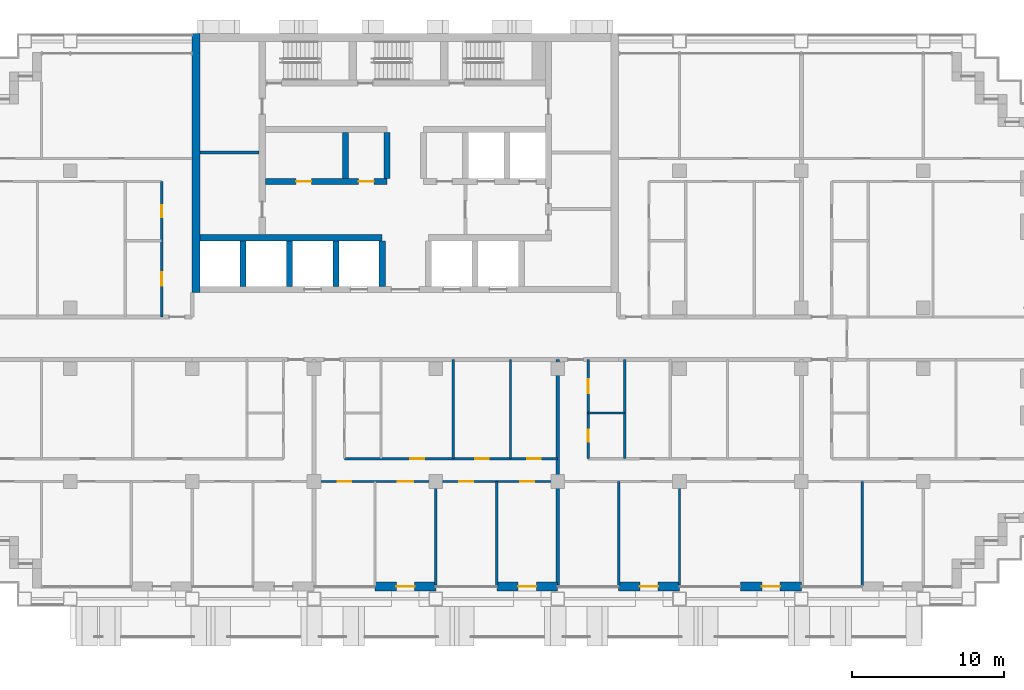
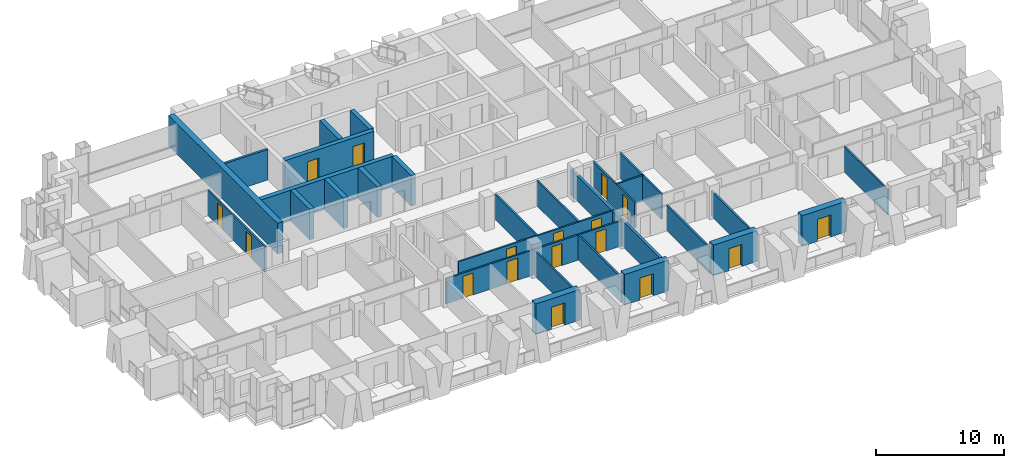
# One storey, part 10 of 18: 28 walls, 17 doors, 17 openings.
"""IFC4 building model written with IfcOpenShell, lengths in metres."""

from ifc_helpers import new_model, si_unit, direction, frame, frame_2d, origin, place, context, subcontext, project, spatial, rectangle, extrude, material, layer, layer_set, type_object, element, fill, save


model = new_model("IFC4")

# Units and contexts
model_context = context("Model", 3, precision=1e-05, world=origin(), true_north=direction((0.0, 1.0)))
body_context = subcontext(model_context, "Body", "Model", "MODEL_VIEW")
ifc_project = project(units=[si_unit("LENGTHUNIT", "METRE"), si_unit("AREAUNIT", "SQUARE_METRE"), si_unit("VOLUMEUNIT", "CUBIC_METRE"), si_unit("PLANEANGLEUNIT", "RADIAN"), si_unit("MASSUNIT", "GRAM", prefix="KILO")], contexts=[model_context])

# Site, building, storey
site_placement = place(None, origin())
site = spatial("IfcSite", under=ifc_project, at=site_placement, CompositionType="ELEMENT")
building_placement = place(site_placement, origin())
building = spatial("IfcBuilding", under=site, at=building_placement, Name="Vidyagriha Tower", CompositionType="ELEMENT")
storey_placement = place(building_placement, frame((0.0, 0.0, 80.699951171875)))
storey = spatial("IfcBuildingStorey", under=building, at=storey_placement, Name="L20", CompositionType="ELEMENT", Elevation=80.699951171875)

# Wall, opening, door
ifc_material_1 = material(Name="Precast concrete C40/50 with brick facing", Category="concrete")
ifc_layer_1 = layer(ifc_material_1, 0.60009765625)
ifc_layer_set_1 = layer_set([ifc_layer_1], Name="Precast concrete C40/50 with brick facing")
wall_type_1 = type_object("IfcWallType", Name="Brick-faced precast wall 600", PredefinedType="STANDARD", material=ifc_layer_set_1)
wall_1_placement = place(storey_placement, frame((-2.0, -16.300048828125, 0.0)))
wall_1 = element("IfcWall", 1, at=wall_1_placement, inside=storey, type_object=wall_type_1, Name="Brick door bay wall L20 R23.7", PredefinedType="STANDARD", context=body_context, shape_type="SweptSolid", body=[
    extrude(rectangle(XDim=4.0, YDim=0.60009765625, at=frame_2d((2.0, 0.0))), origin(), (0.0, 0.0, 1.0), 2.920166015625),
])
opening_1_placement = place(wall_1_placement, frame((1.39990234375, 0.0, 0.0)))
opening_1 = element("IfcOpeningElement", 2, at=opening_1_placement, cuts=wall_1, Name="Opening D20-78", PredefinedType="OPENING", context=body_context, shape_type="SweptSolid", body=[
    extrude(rectangle(XDim=1.199951171875, YDim=2.10009765625, at=frame_2d((0.60009765625, 1.050048828125))), frame((0.0, 0.31005859375, 0.0), z_axis=(0.0, -1.0, 0.0), x_axis=(1.0, 0.0, 0.0)), (0.0, 0.0, 1.0), 0.6201171875),
])
ifc_material_2 = material(Name="Aluminium framed glazed sliding door", Category="aluminium")
door_type_1 = type_object("IfcDoorType", Name="Balcony sliding door 1200x2100", OperationType="NOTDEFINED", PredefinedType="DOOR", material=ifc_material_2)
door_1_placement = place(opening_1_placement, origin())
door_1 = element("IfcDoor", 3, at=door_1_placement, inside=storey, type_object=door_type_1, Name="Door D20-78", OperationType="SLIDING_TO_LEFT", OverallHeight=2.10009765625, OverallWidth=1.199951171875, PredefinedType="DOOR", context=body_context, shape_type="SweptSolid", body=[
    extrude(rectangle(XDim=1.199951171875, YDim=2.10009765625, at=frame_2d((0.60009765625, 1.050048828125))), frame((0.0, 0.02490234375, 0.0), z_axis=(0.0, -1.0, 0.0), x_axis=(1.0, 0.0, 0.0)), (0.0, 0.0, 1.0), 0.050048828125),
])
fill(opening_1, door_1)

wall_2_placement = place(storey_placement, frame((6.0, -16.300048828125, 0.0)))
wall_2 = element("IfcWall", 4, at=wall_2_placement, inside=storey, type_object=wall_type_1, Name="Brick door bay wall L20 R23.9", PredefinedType="STANDARD", context=body_context, shape_type="SweptSolid", body=[
    extrude(rectangle(XDim=4.0, YDim=0.60009765625, at=frame_2d((2.0, 0.0))), origin(), (0.0, 0.0, 1.0), 2.920166015625),
])
opening_2_placement = place(wall_2_placement, frame((1.39990234375, 0.0, 0.0)))
opening_2 = element("IfcOpeningElement", 5, at=opening_2_placement, cuts=wall_2, Name="Opening D20-79", PredefinedType="OPENING", context=body_context, shape_type="SweptSolid", body=[
    extrude(rectangle(XDim=1.199951171875, YDim=2.10009765625, at=frame_2d((0.60009765625, 1.050048828125))), frame((0.0, 0.31005859375, 0.0), z_axis=(0.0, -1.0, 0.0), x_axis=(1.0, 0.0, 0.0)), (0.0, 0.0, 1.0), 0.6201171875),
])
door_2_placement = place(opening_2_placement, origin())
door_2 = element("IfcDoor", 6, at=door_2_placement, inside=storey, type_object=door_type_1, Name="Door D20-79", OperationType="SLIDING_TO_LEFT", OverallHeight=2.10009765625, OverallWidth=1.199951171875, PredefinedType="DOOR", context=body_context, shape_type="SweptSolid", body=[
    extrude(rectangle(XDim=1.199951171875, YDim=2.10009765625, at=frame_2d((0.60009765625, 1.050048828125))), frame((0.0, 0.02490234375, 0.0), z_axis=(0.0, -1.0, 0.0), x_axis=(1.0, 0.0, 0.0)), (0.0, 0.0, 1.0), 0.050048828125),
])
fill(opening_2, door_2)

wall_3_placement = place(storey_placement, frame((14.0, -16.300048828125, 0.0)))
wall_3 = element("IfcWall", 7, at=wall_3_placement, inside=storey, type_object=wall_type_1, Name="Brick door bay wall L20 R23.11", PredefinedType="STANDARD", context=body_context, shape_type="SweptSolid", body=[
    extrude(rectangle(XDim=4.0, YDim=0.60009765625, at=frame_2d((2.0, 0.0))), origin(), (0.0, 0.0, 1.0), 2.920166015625),
])
opening_3_placement = place(wall_3_placement, frame((1.39990234375, 0.0, 0.0)))
opening_3 = element("IfcOpeningElement", 8, at=opening_3_placement, cuts=wall_3, Name="Opening D20-80", PredefinedType="OPENING", context=body_context, shape_type="SweptSolid", body=[
    extrude(rectangle(XDim=1.199951171875, YDim=2.10009765625, at=frame_2d((0.60009765625, 1.050048828125))), frame((0.0, 0.31005859375, 0.0), z_axis=(0.0, -1.0, 0.0), x_axis=(1.0, 0.0, 0.0)), (0.0, 0.0, 1.0), 0.6201171875),
])
door_3_placement = place(opening_3_placement, origin())
door_3 = element("IfcDoor", 9, at=door_3_placement, inside=storey, type_object=door_type_1, Name="Door D20-80", OperationType="SLIDING_TO_LEFT", OverallHeight=2.10009765625, OverallWidth=1.199951171875, PredefinedType="DOOR", context=body_context, shape_type="SweptSolid", body=[
    extrude(rectangle(XDim=1.199951171875, YDim=2.10009765625, at=frame_2d((0.60009765625, 1.050048828125))), frame((0.0, 0.02490234375, 0.0), z_axis=(0.0, -1.0, 0.0), x_axis=(1.0, 0.0, 0.0)), (0.0, 0.0, 1.0), 0.050048828125),
])
fill(opening_3, door_3)

wall_4_placement = place(storey_placement, frame((22.0, -16.300048828125, 0.0)))
wall_4 = element("IfcWall", 10, at=wall_4_placement, inside=storey, type_object=wall_type_1, Name="Brick door bay wall L20 R23.13", PredefinedType="STANDARD", context=body_context, shape_type="SweptSolid", body=[
    extrude(rectangle(XDim=4.0, YDim=0.60009765625, at=frame_2d((2.0, 0.0))), origin(), (0.0, 0.0, 1.0), 2.920166015625),
])
opening_4_placement = place(wall_4_placement, frame((1.39990234375, 0.0, 0.0)))
opening_4 = element("IfcOpeningElement", 11, at=opening_4_placement, cuts=wall_4, Name="Opening D20-81", PredefinedType="OPENING", context=body_context, shape_type="SweptSolid", body=[
    extrude(rectangle(XDim=1.199951171875, YDim=2.10009765625, at=frame_2d((0.60009765625, 1.050048828125))), frame((0.0, 0.31005859375, 0.0), z_axis=(0.0, -1.0, 0.0), x_axis=(1.0, 0.0, 0.0)), (0.0, 0.0, 1.0), 0.6201171875),
])
door_4_placement = place(opening_4_placement, origin())
door_4 = element("IfcDoor", 12, at=door_4_placement, inside=storey, type_object=door_type_1, Name="Door D20-81", OperationType="SLIDING_TO_LEFT", OverallHeight=2.10009765625, OverallWidth=1.199951171875, PredefinedType="DOOR", context=body_context, shape_type="SweptSolid", body=[
    extrude(rectangle(XDim=1.199951171875, YDim=2.10009765625, at=frame_2d((0.60009765625, 1.050048828125))), frame((0.0, 0.02490234375, 0.0), z_axis=(0.0, -1.0, 0.0), x_axis=(1.0, 0.0, 0.0)), (0.0, 0.0, 1.0), 0.050048828125),
])
fill(opening_4, door_4)

# Walls
ifc_material_3 = material(Name="Concrete C60/75", Category="concrete")
ifc_layer_2 = layer(ifc_material_3, 0.39990234375)
ifc_layer_set_2 = layer_set([ifc_layer_2], Name="Concrete C60/75")
wall_type_2 = type_object("IfcWallType", Name="Core shear wall 400 mm", PredefinedType="SHEAR", material=ifc_layer_set_2)
wall_5_placement = place(storey_placement, frame((-13.5, 6.60009765625, 0.0)))
element("IfcWall", 13, at=wall_5_placement, inside=storey, type_object=wall_type_2, Name="Core lobby south wall west", PredefinedType="SHEAR", context=body_context, shape_type="SweptSolid", body=[
    extrude(rectangle(XDim=11.977783203125, YDim=0.39990234375, at=frame_2d((5.98876953125, 0.0))), origin(), (0.0, 0.0, 1.0), 2.920166015625),
])
for number, where, z_axis, x_axis, name in (
    (14, (-10.655517578125, 3.39990234375, 0.0), (0.0, 0.0, 1.0), (0.0, 1.0, 0.0), "Core bay wall S1"),
    (15, (-7.611083984375, 3.39990234375, 0.0), (0.0, 0.0, 1.0), (0.0, 1.0, 0.0), "Core bay wall S2"),
    (16, (-4.566650390625, 3.39990234375, 0.0), (0.0, 0.0, 1.0), (0.0, 1.0, 0.0), "Core bay wall S3"),
    (17, (-1.522216796875, 3.39990234375, 0.0), (0.0, 0.0, 1.0), (0.0, 1.0, 0.0), "Core bay wall S4"),
):
    element("IfcWall", number, at=place(storey_placement, frame(where, z_axis=z_axis, x_axis=x_axis)), inside=storey, type_object=wall_type_2, Name=name, PredefinedType="SHEAR", context=body_context, shape_type="SweptSolid", body=[
        extrude(rectangle(XDim=3.0, YDim=0.39990234375, at=frame_2d((1.5, 0.0))), origin(), (0.0, 0.0, 1.0), 2.920166015625),
    ])

# Wall, openings, doors
wall_6_placement = place(storey_placement, frame((-9.199951171875, 10.300048828125, 0.0)))
wall_6 = element("IfcWall", 18, at=wall_6_placement, inside=storey, type_object=wall_type_2, Name="Core row N front wall", PredefinedType="SHEAR", context=body_context, shape_type="SweptSolid", body=[
    extrude(rectangle(XDim=8.0, YDim=0.39990234375, at=frame_2d((4.0, 0.0))), origin(), (0.0, 0.0, 1.0), 2.920166015625),
])
opening_5_placement = place(wall_6_placement, frame((2.033203125, 0.0, 0.0)))
opening_5 = element("IfcOpeningElement", 19, at=opening_5_placement, cuts=wall_6, Name="Opening D20-02", PredefinedType="OPENING", context=body_context, shape_type="SweptSolid", body=[
    extrude(rectangle(XDim=1.0, YDim=2.10009765625, at=frame_2d((0.5, 1.050048828125))), frame((0.0, 0.2099609375, 0.0), z_axis=(0.0, -1.0, 0.0), x_axis=(1.0, 0.0, 0.0)), (0.0, 0.0, 1.0), 0.419921875),
])
opening_6_placement = place(wall_6_placement, frame((6.13330078125, 0.0, 0.0)))
opening_6 = element("IfcOpeningElement", 20, at=opening_6_placement, cuts=wall_6, Name="Opening D20-03", PredefinedType="OPENING", context=body_context, shape_type="SweptSolid", body=[
    extrude(rectangle(XDim=1.0, YDim=2.10009765625, at=frame_2d((0.5, 1.050048828125))), frame((0.0, 0.2099609375, 0.0), z_axis=(0.0, -1.0, 0.0), x_axis=(1.0, 0.0, 0.0)), (0.0, 0.0, 1.0), 0.419921875),
])
ifc_material_4 = material(Name="Hollow metal door leaf")
door_type_2 = type_object("IfcDoorType", Name="Core room door 1000 x 2100 mm EI 60", OperationType="NOTDEFINED", PredefinedType="DOOR", material=ifc_material_4)
door_5_placement = place(opening_5_placement, frame((1.0, 0.0, 0.0), z_axis=(0.0, 0.0, 1.0), x_axis=(-1.0, 0.0, 0.0)))
door_5 = element("IfcDoor", 21, at=door_5_placement, inside=storey, type_object=door_type_2, Name="Door Communications Room 20.14", OperationType="SINGLE_SWING_RIGHT", OverallHeight=2.10009765625, OverallWidth=1.0, PredefinedType="DOOR", context=body_context, shape_type="SweptSolid", body=[
    extrude(rectangle(XDim=1.0, YDim=2.10009765625, at=frame_2d((0.5, 1.050048828125))), frame((0.0, 0.02490234375, 0.0), z_axis=(0.0, -1.0, 0.0), x_axis=(1.0, 0.0, 0.0)), (0.0, 0.0, 1.0), 0.050048828125),
])
fill(opening_5, door_5)
door_6_placement = place(opening_6_placement, frame((1.0, 0.0, 0.0), z_axis=(0.0, 0.0, 1.0), x_axis=(-1.0, 0.0, 0.0)))
door_6 = element("IfcDoor", 22, at=door_6_placement, inside=storey, type_object=door_type_2, Name="Door Refuse Room 20.15", OperationType="SINGLE_SWING_LEFT", OverallHeight=2.10009765625, OverallWidth=1.0, PredefinedType="DOOR", context=body_context, shape_type="SweptSolid", body=[
    extrude(rectangle(XDim=1.0, YDim=2.10009765625, at=frame_2d((0.5, 1.050048828125))), frame((0.0, 0.02490234375, 0.0), z_axis=(0.0, -1.0, 0.0), x_axis=(1.0, 0.0, 0.0)), (0.0, 0.0, 1.0), 0.050048828125),
])
fill(opening_6, door_6)

# Walls
for number, where, z_axis, x_axis, name in (
    (23, (-3.933349609375, 10.5, 0.0), (0.0, 0.0, 1.0), (0.0, 1.0, 0.0), "Core bay wall N2"),
    (24, (-1.199951171875, 10.5, 0.0), (0.0, 0.0, 1.0), (0.0, 1.0, 0.0), "Core bay wall N3"),
):
    element("IfcWall", number, at=place(storey_placement, frame(where, z_axis=z_axis, x_axis=x_axis)), inside=storey, type_object=wall_type_2, Name=name, PredefinedType="SHEAR", context=body_context, shape_type="SweptSolid", body=[
        extrude(rectangle(XDim=3.0, YDim=0.39990234375, at=frame_2d((1.5, 0.0))), origin(), (0.0, 0.0, 1.0), 2.920166015625),
    ])
ifc_material_5 = material(Name="Concrete C60/75", Category="concrete")
ifc_layer_3 = layer(ifc_material_5, 0.5)
ifc_layer_set_3 = layer_set([ifc_layer_3], Name="Concrete C60/75")
wall_type_3 = type_object("IfcWallType", Name="Core shear wall 500 mm", PredefinedType="SHEAR", material=ifc_layer_set_3)
wall_7_placement = place(storey_placement, frame((-13.75, 3.0, 0.0), z_axis=(0.0, 0.0, 1.0), x_axis=(0.0, 1.0, 0.0)))
element("IfcWall", 25, at=wall_7_placement, inside=storey, type_object=wall_type_3, Name="Core west wall", PredefinedType="SHEAR", context=body_context, shape_type="SweptSolid", body=[
    extrude(rectangle(XDim=17.0, YDim=0.5, at=frame_2d((8.5, 0.0))), origin(), (0.0, 0.0, 1.0), 2.920166015625),
])
ifc_material_6 = material(Name="Fired clay brick masonry", Category="masonry")
ifc_layer_4 = layer(ifc_material_6, 0.25)
ifc_layer_set_4 = layer_set([ifc_layer_4], Name="Fired clay brick masonry")
wall_type_4 = type_object("IfcWallType", Name="Fired clay brick demising wall 250", PredefinedType="PARTITIONING", material=ifc_layer_set_4)
wall_8_placement = place(storey_placement, frame((10.0, -1.39990234375, 0.0), z_axis=(0.0, 0.0, 1.0), x_axis=(0.0, -1.0, 0.0)))
element("IfcWall", 26, at=wall_8_placement, inside=storey, type_object=wall_type_4, Name="Wall all-L20-w062", PredefinedType="PARTITIONING", context=body_context, shape_type="SweptSolid", body=[
    extrude(rectangle(XDim=14.81005859375, YDim=0.25, at=frame_2d((7.405029296875, 0.0))), origin(), (0.0, 0.0, 1.0), 2.400146484375),
])
ifc_material_7 = material(Name="Gypsum board partition")
ifc_layer_5 = layer(ifc_material_7, 0.14990234375)
ifc_layer_set_5 = layer_set([ifc_layer_5], Name="Gypsum board partition")
wall_type_5 = type_object("IfcWallType", Name="Gypsum board partition 150", PredefinedType="PARTITIONING", material=ifc_layer_set_5)
for number, where, z_axis, x_axis, name in (
    (27, (3.14990234375, -1.39990234375, 0.0), (0.0, 0.0, 1.0), (0.0, -1.0, 0.0), "Wall all-L20-w028"),
    (28, (6.89990234375, -1.39990234375, 0.0), (0.0, 0.0, 1.0), (0.0, -1.0, 0.0), "Wall all-L20-w029"),
):
    element("IfcWall", number, at=place(storey_placement, frame(where, z_axis=z_axis, x_axis=x_axis)), inside=storey, type_object=wall_type_5, Name=name, PredefinedType="PARTITIONING", context=body_context, shape_type="SweptSolid", body=[
        extrude(rectangle(XDim=6.5, YDim=0.14990234375, at=frame_2d((3.25, 0.0))), origin(), (0.0, 0.0, 1.0), 2.400146484375),
    ])

# Wall, openings, doors
wall_9_placement = place(storey_placement, frame((-4.0, -7.89990234375, 0.0)))
wall_9 = element("IfcWall", 29, at=wall_9_placement, inside=storey, type_object=wall_type_5, Name="Wall all-L20-w030", PredefinedType="PARTITIONING", context=body_context, shape_type="SweptSolid", body=[
    extrude(rectangle(XDim=14.0, YDim=0.14990234375, at=frame_2d((7.0, 0.0))), origin(), (0.0, 0.0, 1.0), 2.400146484375),
])
opening_7_placement = place(wall_9_placement, frame((4.324951171875, 0.0, 0.0)))
opening_7 = element("IfcOpeningElement", 30, at=opening_7_placement, cuts=wall_9, Name="Opening D20-27", PredefinedType="OPENING", context=body_context, shape_type="SweptSolid", body=[
    extrude(rectangle(XDim=0.89990234375, YDim=2.10009765625, at=frame_2d((0.449951171875, 1.050048828125))), frame((0.0, 0.0849609375, 0.0), z_axis=(0.0, -1.0, 0.0), x_axis=(1.0, 0.0, 0.0)), (0.0, 0.0, 1.0), 0.169921875),
])
opening_8_placement = place(wall_9_placement, frame((8.574951171875, 0.0, 0.0)))
opening_8 = element("IfcOpeningElement", 31, at=opening_8_placement, cuts=wall_9, Name="Opening D20-28", PredefinedType="OPENING", context=body_context, shape_type="SweptSolid", body=[
    extrude(rectangle(XDim=0.89990234375, YDim=2.10009765625, at=frame_2d((0.449951171875, 1.050048828125))), frame((0.0, 0.0849609375, 0.0), z_axis=(0.0, -1.0, 0.0), x_axis=(1.0, 0.0, 0.0)), (0.0, 0.0, 1.0), 0.169921875),
])
opening_9_placement = place(wall_9_placement, frame((12.0, 0.0, 0.0)))
opening_9 = element("IfcOpeningElement", 32, at=opening_9_placement, cuts=wall_9, Name="Opening D20-29", PredefinedType="OPENING", context=body_context, shape_type="SweptSolid", body=[
    extrude(rectangle(XDim=0.89990234375, YDim=2.10009765625, at=frame_2d((0.449951171875, 1.050048828125))), frame((0.0, 0.0849609375, 0.0), z_axis=(0.0, -1.0, 0.0), x_axis=(1.0, 0.0, 0.0)), (0.0, 0.0, 1.0), 0.169921875),
])
ifc_material_8 = material(Name="Timber door leaf", Category="wood")
door_type_3 = type_object("IfcDoorType", Name="Room door 900x2100", OperationType="NOTDEFINED", PredefinedType="DOOR", material=ifc_material_8)
door_7_placement = place(opening_7_placement, origin())
door_7 = element("IfcDoor", 33, at=door_7_placement, inside=storey, type_object=door_type_3, Name="Door D20-27", OperationType="SINGLE_SWING_RIGHT", OverallHeight=2.10009765625, OverallWidth=0.89990234375, PredefinedType="DOOR", context=body_context, shape_type="SweptSolid", body=[
    extrude(rectangle(XDim=0.89990234375, YDim=2.10009765625, at=frame_2d((0.449951171875, 1.050048828125))), frame((0.0, 0.02490234375, 0.0), z_axis=(0.0, -1.0, 0.0), x_axis=(1.0, 0.0, 0.0)), (0.0, 0.0, 1.0), 0.050048828125),
])
fill(opening_7, door_7)
door_8_placement = place(opening_8_placement, origin())
door_8 = element("IfcDoor", 34, at=door_8_placement, inside=storey, type_object=door_type_3, Name="Door D20-28", OperationType="SINGLE_SWING_RIGHT", OverallHeight=2.10009765625, OverallWidth=0.89990234375, PredefinedType="DOOR", context=body_context, shape_type="SweptSolid", body=[
    extrude(rectangle(XDim=0.89990234375, YDim=2.10009765625, at=frame_2d((0.449951171875, 1.050048828125))), frame((0.0, 0.02490234375, 0.0), z_axis=(0.0, -1.0, 0.0), x_axis=(1.0, 0.0, 0.0)), (0.0, 0.0, 1.0), 0.050048828125),
])
fill(opening_8, door_8)
door_9_placement = place(opening_9_placement, origin())
door_9 = element("IfcDoor", 35, at=door_9_placement, inside=storey, type_object=door_type_3, Name="Door D20-29", OperationType="SINGLE_SWING_LEFT", OverallHeight=2.10009765625, OverallWidth=0.89990234375, PredefinedType="DOOR", context=body_context, shape_type="SweptSolid", body=[
    extrude(rectangle(XDim=0.89990234375, YDim=2.10009765625, at=frame_2d((0.449951171875, 1.050048828125))), frame((0.0, 0.02490234375, 0.0), z_axis=(0.0, -1.0, 0.0), x_axis=(1.0, 0.0, 0.0)), (0.0, 0.0, 1.0), 0.050048828125),
])
fill(opening_9, door_9)

wall_10_placement = place(storey_placement, frame((10.0, -9.39990234375, 0.0), z_axis=(0.0, 0.0, 1.0), x_axis=(-1.0, 0.0, 0.0)))
wall_10 = element("IfcWall", 36, at=wall_10_placement, inside=storey, type_object=wall_type_5, Name="Wall all-L20-w034", PredefinedType="PARTITIONING", context=body_context, shape_type="SweptSolid", body=[
    extrude(rectangle(XDim=16.0, YDim=0.14990234375, at=frame_2d((8.0, 0.0))), origin(), (0.0, 0.0, 1.0), 2.400146484375),
])
opening_10_placement = place(wall_10_placement, frame((13.550048828125, 0.0, 0.0)))
opening_10 = element("IfcOpeningElement", 37, at=opening_10_placement, cuts=wall_10, Name="Opening D20-30", PredefinedType="OPENING", context=body_context, shape_type="SweptSolid", body=[
    extrude(rectangle(XDim=0.89990234375, YDim=2.10009765625, at=frame_2d((0.449951171875, 1.050048828125))), frame((0.0, 0.0849609375, 0.0), z_axis=(0.0, -1.0, 0.0), x_axis=(1.0, 0.0, 0.0)), (0.0, 0.0, 1.0), 0.169921875),
])
opening_11_placement = place(wall_10_placement, frame((9.5, 0.0, 0.0)))
opening_11 = element("IfcOpeningElement", 38, at=opening_11_placement, cuts=wall_10, Name="Opening D20-31", PredefinedType="OPENING", context=body_context, shape_type="SweptSolid", body=[
    extrude(rectangle(XDim=1.0, YDim=2.10009765625, at=frame_2d((0.5, 1.050048828125))), frame((0.0, 0.0849609375, 0.0), z_axis=(0.0, -1.0, 0.0), x_axis=(1.0, 0.0, 0.0)), (0.0, 0.0, 1.0), 0.169921875),
])
opening_12_placement = place(wall_10_placement, frame((5.550048828125, 0.0, 0.0)))
opening_12 = element("IfcOpeningElement", 39, at=opening_12_placement, cuts=wall_10, Name="Opening D20-32", PredefinedType="OPENING", context=body_context, shape_type="SweptSolid", body=[
    extrude(rectangle(XDim=0.89990234375, YDim=2.10009765625, at=frame_2d((0.449951171875, 1.050048828125))), frame((0.0, 0.0849609375, 0.0), z_axis=(0.0, -1.0, 0.0), x_axis=(1.0, 0.0, 0.0)), (0.0, 0.0, 1.0), 0.169921875),
])
opening_13_placement = place(wall_10_placement, frame((1.550048828125, 0.0, 0.0)))
opening_13 = element("IfcOpeningElement", 40, at=opening_13_placement, cuts=wall_10, Name="Opening D20-33", PredefinedType="OPENING", context=body_context, shape_type="SweptSolid", body=[
    extrude(rectangle(XDim=0.89990234375, YDim=2.10009765625, at=frame_2d((0.449951171875, 1.050048828125))), frame((0.0, 0.0849609375, 0.0), z_axis=(0.0, -1.0, 0.0), x_axis=(1.0, 0.0, 0.0)), (0.0, 0.0, 1.0), 0.169921875),
])
ifc_material_9 = material(Name="Timber door leaf", Category="wood")
door_type_4 = type_object("IfcDoorType", Name="Room door 1000x2100", OperationType="NOTDEFINED", PredefinedType="DOOR", material=ifc_material_9)
door_10_placement = place(opening_11_placement, origin())
door_10 = element("IfcDoor", 41, at=door_10_placement, inside=storey, type_object=door_type_4, Name="Door D20-31", OperationType="SINGLE_SWING_RIGHT", OverallHeight=2.10009765625, OverallWidth=1.0, PredefinedType="DOOR", context=body_context, shape_type="SweptSolid", body=[
    extrude(rectangle(XDim=1.0, YDim=2.10009765625, at=frame_2d((0.5, 1.050048828125))), frame((0.0, 0.02490234375, 0.0), z_axis=(0.0, -1.0, 0.0), x_axis=(1.0, 0.0, 0.0)), (0.0, 0.0, 1.0), 0.050048828125),
])
fill(opening_11, door_10)
door_11_placement = place(opening_10_placement, origin())
door_11 = element("IfcDoor", 42, at=door_11_placement, inside=storey, type_object=door_type_3, Name="Door D20-30", OperationType="SINGLE_SWING_RIGHT", OverallHeight=2.10009765625, OverallWidth=0.89990234375, PredefinedType="DOOR", context=body_context, shape_type="SweptSolid", body=[
    extrude(rectangle(XDim=0.89990234375, YDim=2.10009765625, at=frame_2d((0.449951171875, 1.050048828125))), frame((0.0, 0.02490234375, 0.0), z_axis=(0.0, -1.0, 0.0), x_axis=(1.0, 0.0, 0.0)), (0.0, 0.0, 1.0), 0.050048828125),
])
fill(opening_10, door_11)
door_12_placement = place(opening_12_placement, origin())
door_12 = element("IfcDoor", 43, at=door_12_placement, inside=storey, type_object=door_type_3, Name="Door D20-32", OperationType="SINGLE_SWING_RIGHT", OverallHeight=2.10009765625, OverallWidth=0.89990234375, PredefinedType="DOOR", context=body_context, shape_type="SweptSolid", body=[
    extrude(rectangle(XDim=0.89990234375, YDim=2.10009765625, at=frame_2d((0.449951171875, 1.050048828125))), frame((0.0, 0.02490234375, 0.0), z_axis=(0.0, -1.0, 0.0), x_axis=(1.0, 0.0, 0.0)), (0.0, 0.0, 1.0), 0.050048828125),
])
fill(opening_12, door_12)
door_13_placement = place(opening_13_placement, origin())
door_13 = element("IfcDoor", 44, at=door_13_placement, inside=storey, type_object=door_type_3, Name="Door D20-33", OperationType="SINGLE_SWING_RIGHT", OverallHeight=2.10009765625, OverallWidth=0.89990234375, PredefinedType="DOOR", context=body_context, shape_type="SweptSolid", body=[
    extrude(rectangle(XDim=0.89990234375, YDim=2.10009765625, at=frame_2d((0.449951171875, 1.050048828125))), frame((0.0, 0.02490234375, 0.0), z_axis=(0.0, -1.0, 0.0), x_axis=(1.0, 0.0, 0.0)), (0.0, 0.0, 1.0), 0.050048828125),
])
fill(opening_13, door_13)

# Walls
wall_11_placement = place(storey_placement, frame((2.0, -9.39990234375, 0.0), z_axis=(0.0, 0.0, 1.0), x_axis=(0.0, -1.0, 0.0)))
element("IfcWall", 45, at=wall_11_placement, inside=storey, type_object=wall_type_5, Name="Wall all-L20-w040", PredefinedType="PARTITIONING", context=body_context, shape_type="SweptSolid", body=[
    extrude(rectangle(XDim=6.81005859375, YDim=0.14990234375, at=frame_2d((3.405029296875, 0.0))), origin(), (0.0, 0.0, 1.0), 2.400146484375),
])
wall_12_placement = place(storey_placement, frame((6.0, -9.39990234375, 0.0), z_axis=(0.0, 0.0, 1.0), x_axis=(0.0, -1.0, 0.0)))
element("IfcWall", 46, at=wall_12_placement, inside=storey, type_object=wall_type_5, Name="Wall all-L20-w041", PredefinedType="PARTITIONING", context=body_context, shape_type="SweptSolid", body=[
    extrude(rectangle(XDim=6.821044921875, YDim=0.14990234375, at=frame_2d((3.41064453125, 0.0))), origin(), (0.0, 0.0, 1.0), 2.400146484375),
])
wall_13_placement = place(storey_placement, frame((14.39990234375, -4.89990234375, 0.0), z_axis=(0.0, 0.0, 1.0), x_axis=(-1.0, 0.0, 0.0)))
element("IfcWall", 47, at=wall_13_placement, inside=storey, type_object=wall_type_5, Name="Wall all-L20-w047", PredefinedType="PARTITIONING", context=body_context, shape_type="SweptSolid", body=[
    extrude(rectangle(XDim=2.39990234375, YDim=0.14990234375, at=frame_2d((1.199951171875, 0.0))), origin(), (0.0, 0.0, 1.0), 2.400146484375),
])
wall_14_placement = place(storey_placement, frame((14.39990234375, -1.39990234375, 0.0), z_axis=(0.0, 0.0, 1.0), x_axis=(0.0, -1.0, 0.0)))
element("IfcWall", 48, at=wall_14_placement, inside=storey, type_object=wall_type_5, Name="Wall all-L20-w048", PredefinedType="PARTITIONING", context=body_context, shape_type="SweptSolid", body=[
    extrude(rectangle(XDim=6.5, YDim=0.14990234375, at=frame_2d((3.25, 0.0))), origin(), (0.0, 0.0, 1.0), 2.400146484375),
])
wall_15_placement = place(storey_placement, frame((14.0, -9.39990234375, 0.0), z_axis=(0.0, 0.0, 1.0), x_axis=(0.0, -1.0, 0.0)))
element("IfcWall", 49, at=wall_15_placement, inside=storey, type_object=wall_type_5, Name="Wall all-L20-w059", PredefinedType="PARTITIONING", context=body_context, shape_type="SweptSolid", body=[
    extrude(rectangle(XDim=6.821044921875, YDim=0.14990234375, at=frame_2d((3.41064453125, 0.0))), origin(), (0.0, 0.0, 1.0), 2.400146484375),
])
wall_16_placement = place(storey_placement, frame((18.0, -9.39990234375, 0.0), z_axis=(0.0, 0.0, 1.0), x_axis=(0.0, -1.0, 0.0)))
element("IfcWall", 50, at=wall_16_placement, inside=storey, type_object=wall_type_5, Name="Wall all-L20-w060", PredefinedType="PARTITIONING", context=body_context, shape_type="SweptSolid", body=[
    extrude(rectangle(XDim=6.81005859375, YDim=0.14990234375, at=frame_2d((3.405029296875, 0.0))), origin(), (0.0, 0.0, 1.0), 2.400146484375),
])
wall_17_placement = place(storey_placement, frame((30.0, -9.39990234375, 0.0), z_axis=(0.0, 0.0, 1.0), x_axis=(0.0, -1.0, 0.0)))
element("IfcWall", 51, at=wall_17_placement, inside=storey, type_object=wall_type_5, Name="Wall all-L20-w076", PredefinedType="PARTITIONING", context=body_context, shape_type="SweptSolid", body=[
    extrude(rectangle(XDim=6.821044921875, YDim=0.14990234375, at=frame_2d((3.41064453125, 0.0))), origin(), (0.0, 0.0, 1.0), 2.400146484375),
])

# Wall, openings, doors
ifc_material_10 = material(Name="Moisture resistant gypsum board partition")
ifc_layer_6 = layer(ifc_material_10, 0.14990234375)
ifc_layer_set_6 = layer_set([ifc_layer_6], Name="Moisture resistant gypsum board partition")
wall_type_6 = type_object("IfcWallType", Name="Gypsum board wet-area partition 150", PredefinedType="PARTITIONING", material=ifc_layer_set_6)
wall_18_placement = place(storey_placement, frame((12.0, -1.39990234375, 0.0), z_axis=(0.0, 0.0, 1.0), x_axis=(0.0, -1.0, 0.0)))
wall_18 = element("IfcWall", 52, at=wall_18_placement, inside=storey, type_object=wall_type_6, Name="Wall all-L20-w044", PredefinedType="PARTITIONING", context=body_context, shape_type="SweptSolid", body=[
    extrude(rectangle(XDim=6.5, YDim=0.14990234375, at=frame_2d((3.25, 0.0))), origin(), (0.0, 0.0, 1.0), 2.400146484375),
])
opening_14_placement = place(wall_18_placement, frame((1.300048828125, 0.0, 0.0)))
opening_14 = element("IfcOpeningElement", 53, at=opening_14_placement, cuts=wall_18, Name="Opening D20-35", PredefinedType="OPENING", context=body_context, shape_type="SweptSolid", body=[
    extrude(rectangle(XDim=0.89990234375, YDim=2.10009765625, at=frame_2d((0.449951171875, 1.050048828125))), frame((0.0, 0.0849609375, 0.0), z_axis=(0.0, -1.0, 0.0), x_axis=(1.0, 0.0, 0.0)), (0.0, 0.0, 1.0), 0.169921875),
])
opening_15_placement = place(wall_18_placement, frame((4.60009765625, 0.0, 0.0)))
opening_15 = element("IfcOpeningElement", 54, at=opening_15_placement, cuts=wall_18, Name="Opening D20-36", PredefinedType="OPENING", context=body_context, shape_type="SweptSolid", body=[
    extrude(rectangle(XDim=0.800048828125, YDim=2.10009765625, at=frame_2d((0.39990234375, 1.050048828125))), frame((0.0, 0.0849609375, 0.0), z_axis=(0.0, -1.0, 0.0), x_axis=(1.0, 0.0, 0.0)), (0.0, 0.0, 1.0), 0.169921875),
])
ifc_material_11 = material(Name="Timber door leaf", Category="wood")
door_type_5 = type_object("IfcDoorType", Name="Bathroom door 800x2100", OperationType="NOTDEFINED", PredefinedType="DOOR", material=ifc_material_11)
door_14_placement = place(opening_15_placement, origin())
door_14 = element("IfcDoor", 55, at=door_14_placement, inside=storey, type_object=door_type_5, Name="Door D20-36", OperationType="SINGLE_SWING_RIGHT", OverallHeight=2.10009765625, OverallWidth=0.800048828125, PredefinedType="DOOR", context=body_context, shape_type="SweptSolid", body=[
    extrude(rectangle(XDim=0.800048828125, YDim=2.10009765625, at=frame_2d((0.39990234375, 1.050048828125))), frame((0.0, 0.02490234375, 0.0), z_axis=(0.0, -1.0, 0.0), x_axis=(1.0, 0.0, 0.0)), (0.0, 0.0, 1.0), 0.050048828125),
])
fill(opening_15, door_14)
ifc_material_12 = material(Name="Timber door leaf", Category="wood")
door_type_6 = type_object("IfcDoorType", Name="Kitchen door 900x2100", OperationType="NOTDEFINED", PredefinedType="DOOR", material=ifc_material_12)
door_15_placement = place(opening_14_placement, origin())
door_15 = element("IfcDoor", 56, at=door_15_placement, inside=storey, type_object=door_type_6, Name="Door D20-35", OperationType="SINGLE_SWING_LEFT", OverallHeight=2.10009765625, OverallWidth=0.89990234375, PredefinedType="DOOR", context=body_context, shape_type="SweptSolid", body=[
    extrude(rectangle(XDim=0.89990234375, YDim=2.10009765625, at=frame_2d((0.449951171875, 1.050048828125))), frame((0.0, 0.02490234375, 0.0), z_axis=(0.0, -1.0, 0.0), x_axis=(1.0, 0.0, 0.0)), (0.0, 0.0, 1.0), 0.050048828125),
])
fill(opening_14, door_15)

wall_19_placement = place(storey_placement, frame((-16.0, 1.39990234375, 0.0), z_axis=(0.0, 0.0, 1.0), x_axis=(0.0, 1.0, 0.0)))
wall_19 = element("IfcWall", 57, at=wall_19_placement, inside=storey, type_object=wall_type_6, Name="Wall all-L20-w083", PredefinedType="PARTITIONING", context=body_context, shape_type="SweptSolid", body=[
    extrude(rectangle(XDim=8.900146484375, YDim=0.14990234375, at=frame_2d((4.4501953125, 0.0))), origin(), (0.0, 0.0, 1.0), 2.400146484375),
])
opening_16_placement = place(wall_19_placement, frame((2.050048828125, 0.0, 0.0)))
opening_16 = element("IfcOpeningElement", 58, at=opening_16_placement, cuts=wall_19, Name="Opening D20-52", PredefinedType="OPENING", context=body_context, shape_type="SweptSolid", body=[
    extrude(rectangle(XDim=0.89990234375, YDim=2.10009765625, at=frame_2d((0.449951171875, 1.050048828125))), frame((0.0, 0.0849609375, 0.0), z_axis=(0.0, -1.0, 0.0), x_axis=(1.0, 0.0, 0.0)), (0.0, 0.0, 1.0), 0.169921875),
])
opening_17_placement = place(wall_19_placement, frame((6.550048828125, 0.0, 0.0)))
opening_17 = element("IfcOpeningElement", 59, at=opening_17_placement, cuts=wall_19, Name="Opening D20-53", PredefinedType="OPENING", context=body_context, shape_type="SweptSolid", body=[
    extrude(rectangle(XDim=0.800048828125, YDim=2.10009765625, at=frame_2d((0.39990234375, 1.050048828125))), frame((0.0, 0.0849609375, 0.0), z_axis=(0.0, -1.0, 0.0), x_axis=(1.0, 0.0, 0.0)), (0.0, 0.0, 1.0), 0.169921875),
])
door_16_placement = place(opening_17_placement, origin())
door_16 = element("IfcDoor", 60, at=door_16_placement, inside=storey, type_object=door_type_5, Name="Door D20-53", OperationType="SINGLE_SWING_LEFT", OverallHeight=2.10009765625, OverallWidth=0.800048828125, PredefinedType="DOOR", context=body_context, shape_type="SweptSolid", body=[
    extrude(rectangle(XDim=0.800048828125, YDim=2.10009765625, at=frame_2d((0.39990234375, 1.050048828125))), frame((0.0, 0.02490234375, 0.0), z_axis=(0.0, -1.0, 0.0), x_axis=(1.0, 0.0, 0.0)), (0.0, 0.0, 1.0), 0.050048828125),
])
fill(opening_17, door_16)
door_17_placement = place(opening_16_placement, origin())
door_17 = element("IfcDoor", 61, at=door_17_placement, inside=storey, type_object=door_type_6, Name="Door D20-52", OperationType="SINGLE_SWING_LEFT", OverallHeight=2.10009765625, OverallWidth=0.89990234375, PredefinedType="DOOR", context=body_context, shape_type="SweptSolid", body=[
    extrude(rectangle(XDim=0.89990234375, YDim=2.10009765625, at=frame_2d((0.449951171875, 1.050048828125))), frame((0.0, 0.02490234375, 0.0), z_axis=(0.0, -1.0, 0.0), x_axis=(1.0, 0.0, 0.0)), (0.0, 0.0, 1.0), 0.050048828125),
])
fill(opening_16, door_17)

# Wall
ifc_material_13 = material(Name="Blockwork 15 MPa", Category="masonry")
ifc_layer_7 = layer(ifc_material_13, 0.199951171875)
ifc_layer_set_7 = layer_set([ifc_layer_7], Name="Blockwork 15 MPa")
wall_type_7 = type_object("IfcWallType", Name="Service room partition 200 mm", PredefinedType="PARTITIONING", material=ifc_layer_set_7)
wall_20_placement = place(storey_placement, frame((-13.5, 12.199951171875, 0.0)))
element("IfcWall", 62, at=wall_20_placement, inside=storey, type_object=wall_type_7, Name="Core room partition W1", PredefinedType="PARTITIONING", context=body_context, shape_type="SweptSolid", body=[
    extrude(rectangle(XDim=3.89990234375, YDim=0.199951171875, at=frame_2d((1.949951171875, 0.0))), origin(), (0.0, 0.0, 1.0), 2.920166015625),
])

save(model, "model.ifc")
